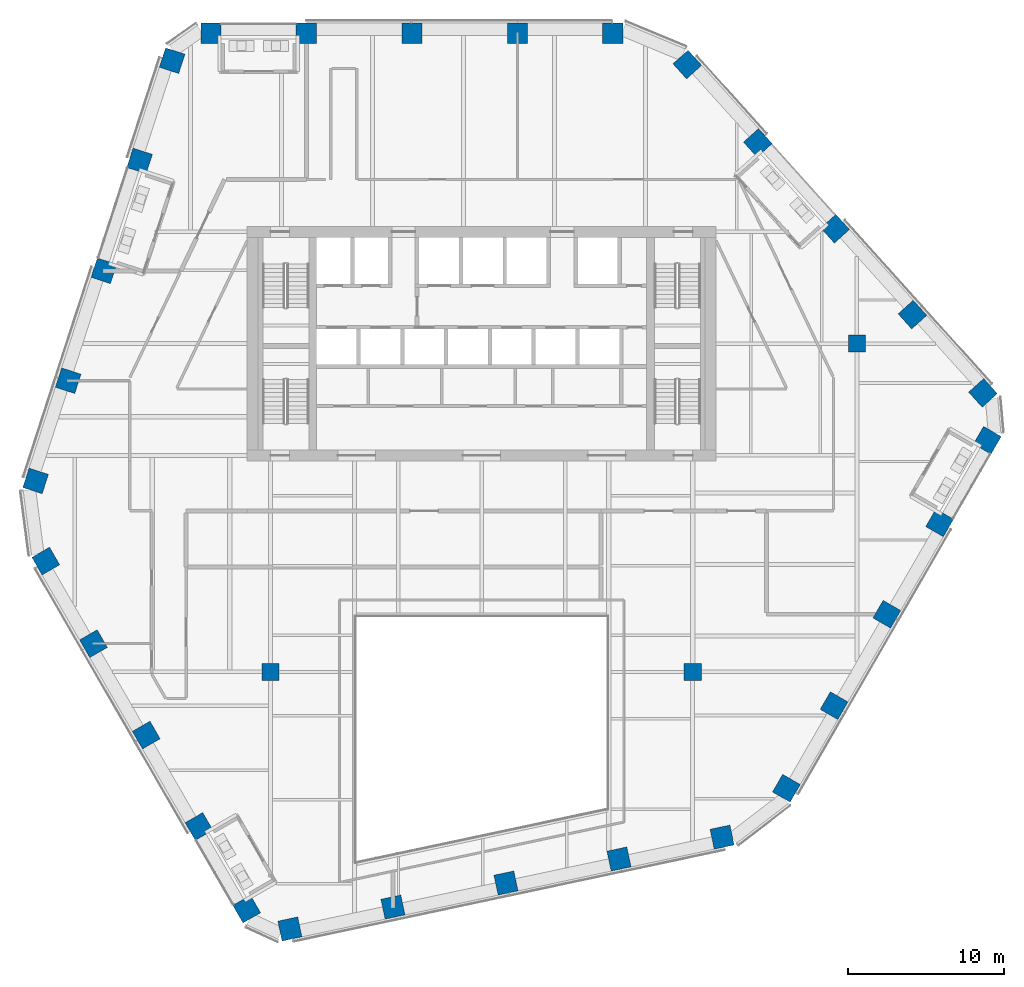
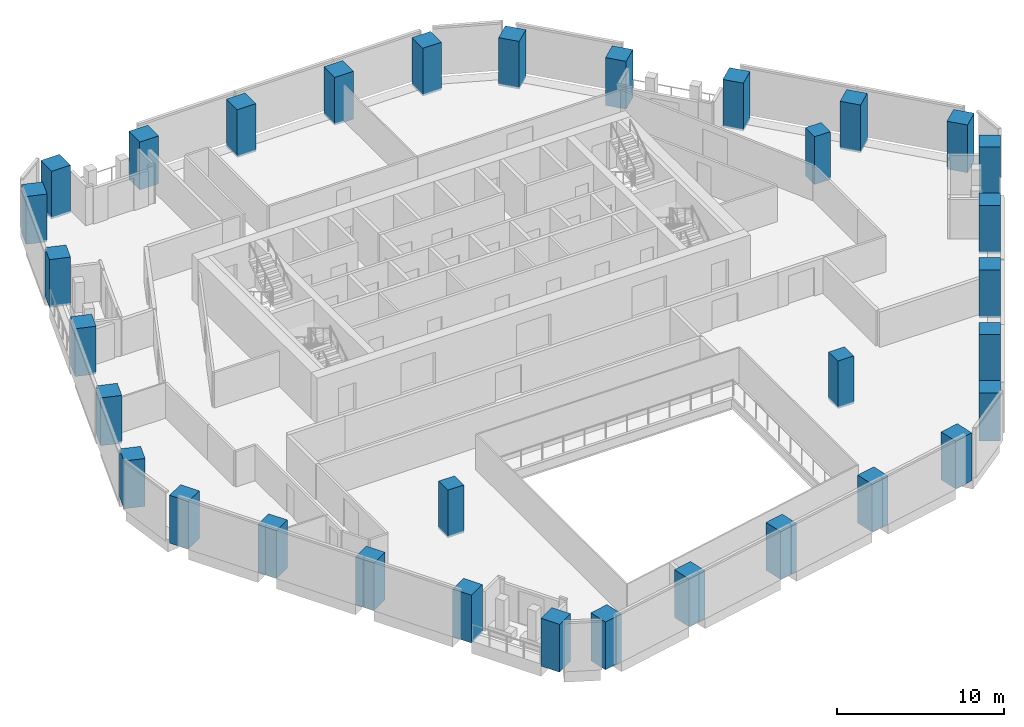
# One storey, part 1 of 26: 33 columns.
"""IFC4 building model written with IfcOpenShell, lengths in metres."""

from ifc_helpers import new_model, si_unit, direction, frame, origin, origin_2d, place, context, subcontext, project, spatial, rectangle, extrude, material, material_profile, profile_set, type_object, element, save


model = new_model("IFC4")

# Units and contexts
model_context = context("Model", 3, precision=1e-05, world=origin(), true_north=direction((0.0, 1.0)))
body_context = subcontext(model_context, "Body", "Model", "MODEL_VIEW")
ifc_project = project(units=[si_unit("LENGTHUNIT", "METRE"), si_unit("AREAUNIT", "SQUARE_METRE"), si_unit("VOLUMEUNIT", "CUBIC_METRE"), si_unit("PLANEANGLEUNIT", "RADIAN"), si_unit("MASSUNIT", "GRAM", prefix="KILO")], contexts=[model_context])

# Site, building, storey
site_placement = place(None, origin())
site = spatial("IfcSite", under=ifc_project, at=site_placement, CompositionType="ELEMENT")
building_placement = place(site_placement, origin())
building = spatial("IfcBuilding", under=site, at=building_placement, Name="Isthmus Gate Tower", CompositionType="ELEMENT")
storey_placement = place(building_placement, frame((0.0, 0.0, 203.64990234375)))
storey = spatial("IfcBuildingStorey", under=building, at=storey_placement, Name="L51", CompositionType="ELEMENT", Elevation=203.64990234375)

# Columns
ifc_material_1 = material(Name="Concrete f'c 60 MPa", Category="concrete")
ifc_material_profile_1 = material_profile(ifc_material_1, rectangle(XDim=1.10009765625, YDim=1.10009765625, at=origin_2d()), Name="RC 1100X1100")
ifc_profile_set_1 = profile_set([ifc_material_profile_1], Name="Concrete f'c 60 MPa")
column_type_1 = type_object("IfcColumnType", Name="RC INTERIOR COLUMN 1100 X 1100", PredefinedType="COLUMN", material=ifc_profile_set_1)
for number, where, z_axis, x_axis, name in (
    (1, (-13.5, -13.5, -0.14990234375), (0.0, 0.0, 1.0), (1.0, 0.0, 0.0), "str-icol-L51-ICB2"),
    (2, (13.5, -13.5, -0.14990234375), (0.0, 0.0, 1.0), (1.0, 0.0, 0.0), "str-icol-L51-ICD2"),
    (3, (24.0, 7.5, -0.14990234375), (0.0, 0.0, 1.0), (1.0, 0.0, 0.0), "str-icol-L51-ICE3"),
):
    element("IfcColumn", number, at=place(storey_placement, frame(where, z_axis=z_axis, x_axis=x_axis)), inside=storey, type_object=column_type_1, Name=name, PredefinedType="COLUMN", context=body_context, shape_type="SweptSolid", body=[
        extrude(rectangle(XDim=1.10009765625, YDim=1.10009765625, at=origin_2d()), origin(), (0.0, 0.0, 1.0), 3.5),
    ])
ifc_material_2 = material(Name="Concrete f'c 60 MPa", Category="concrete")
ifc_material_profile_2 = material_profile(ifc_material_2, rectangle(XDim=1.300048828125, YDim=1.300048828125, at=origin_2d()), Name="RC 1300X1300")
ifc_profile_set_2 = profile_set([ifc_material_profile_2], Name="Concrete f'c 60 MPa")
column_type_2 = type_object("IfcColumnType", Name="RC TUBE COLUMN 1300 X 1300", PredefinedType="COLUMN", material=ifc_profile_set_2)
for number, where, z_axis, x_axis, name in (
    (4, (8.388671875, 27.35009765625, -0.14990234375), (0.0, 0.0, 1.0), (-1.0, 0.0, 0.0), "str-tcol-L51-T2N0"),
    (5, (2.288330078125, 27.35009765625, -0.14990234375), (0.0, 0.0, 1.0), (-1.0, 0.0, 0.0), "str-tcol-L51-T2N1"),
    (6, (-4.461669921875, 27.35009765625, -0.14990234375), (0.0, 0.0, 1.0), (-1.0, 0.0, 0.0), "str-tcol-L51-T2N2"),
    (7, (-11.2119140625, 27.35009765625, -0.14990234375), (0.0, 0.0, 1.0), (-1.0, 0.0, 0.0), "str-tcol-L51-T2N3"),
    (8, (-17.31201171875, 27.35009765625, -0.14990234375), (0.0, 0.0, 1.0), (-1.0, 0.0, 0.0), "str-tcol-L51-T2N4"),
    (9, (-19.797607421875, 25.595947265625, -0.14990234375), (0.0, 0.0, 1.0), (-0.309016994375, -0.951056516295, 0.0), "str-tcol-L51-T2NW0"),
    (10, (-21.880615234375, 19.18505859375, -0.14990234375), (0.0, 0.0, 1.0), (-0.309016994375, -0.951056516295, 0.0), "str-tcol-L51-T2NW1"),
    (11, (-24.164306640625, 12.156005859375, -0.14990234375), (0.0, 0.0, 1.0), (-0.309016994375, -0.951056516295, 0.0), "str-tcol-L51-T2NW2"),
    (12, (-26.4482421875, 5.126953125, -0.14990234375), (0.0, 0.0, 1.0), (-0.309016994375, -0.951056516295, 0.0), "str-tcol-L51-T2NW3"),
    (13, (-28.53125, -1.283935546875, -0.14990234375), (0.0, 0.0, 1.0), (-0.309016994375, -0.951056516295, 0.0), "str-tcol-L51-T2NW4"),
    (14, (-27.880126953125, -6.410400390625, -0.14990234375), (0.0, 0.0, 1.0), (0.5, -0.866025403784, 0.0), "str-tcol-L51-T2SW0"),
    (15, (-24.830078125, -11.693115234375, -0.14990234375), (0.0, 0.0, 1.0), (0.5, -0.866025403784, 0.0), "str-tcol-L51-T2SW1"),
    (16, (-21.454833984375, -17.5390625, -0.14990234375), (0.0, 0.0, 1.0), (0.5, -0.866025403784, 0.0), "str-tcol-L51-T2SW2"),
    (17, (-18.079833984375, -23.384765625, -0.14990234375), (0.0, 0.0, 1.0), (0.5, -0.866025403784, 0.0), "str-tcol-L51-T2SW3"),
    (18, (-15.02978515625, -28.667724609375, -0.14990234375), (0.0, 0.0, 1.0), (0.5, -0.866025403784, 0.0), "str-tcol-L51-T2SW4"),
    (19, (-12.267822265625, -29.943115234375, -0.14990234375), (0.0, 0.0, 1.0), (0.978147600734, 0.207911690818, 0.0), "str-tcol-L51-T2S0"),
    (20, (-5.674560546875, -28.54150390625, -0.14990234375), (0.0, 0.0, 1.0), (0.978147600734, 0.207911690818, 0.0), "str-tcol-L51-T2S1"),
    (21, (1.554931640625, -27.0048828125, -0.14990234375), (0.0, 0.0, 1.0), (0.978147600734, 0.207911690818, 0.0), "str-tcol-L51-T2S2"),
    (22, (8.7841796875, -25.46826171875, -0.14990234375), (0.0, 0.0, 1.0), (0.978147600734, 0.207911690818, 0.0), "str-tcol-L51-T2S3"),
    (23, (15.377685546875, -24.06689453125, -0.14990234375), (0.0, 0.0, 1.0), (0.978147600734, 0.207911690818, 0.0), "str-tcol-L51-T2S4"),
    (24, (19.491455078125, -20.939697265625, -0.14990234375), (0.0, 0.0, 1.0), (0.5, 0.866025403784, 0.0), "str-tcol-L51-T2SE0"),
    (25, (22.54150390625, -15.65673828125, -0.14990234375), (0.0, 0.0, 1.0), (0.5, 0.866025403784, 0.0), "str-tcol-L51-T2SE1"),
    (26, (25.916748046875, -9.81103515625, -0.14990234375), (0.0, 0.0, 1.0), (0.5, 0.866025403784, 0.0), "str-tcol-L51-T2SE2"),
    (27, (29.291748046875, -3.96533203125, -0.14990234375), (0.0, 0.0, 1.0), (0.5, 0.866025403784, 0.0), "str-tcol-L51-T2SE3"),
    (28, (32.341796875, 1.317626953125, -0.14990234375), (0.0, 0.0, 1.0), (0.5, 0.866025403784, 0.0), "str-tcol-L51-T2SE4"),
    (29, (32.0654296875, 4.34716796875, -0.14990234375), (0.0, 0.0, 1.0), (-0.669130606359, 0.743144825477, 0.0), "str-tcol-L51-T2NE0"),
    (30, (27.554931640625, 9.356689453125, -0.14990234375), (0.0, 0.0, 1.0), (-0.669130606359, 0.743144825477, 0.0), "str-tcol-L51-T2NE1"),
    (31, (22.609619140625, 14.84912109375, -0.14990234375), (0.0, 0.0, 1.0), (-0.669130606359, 0.743144825477, 0.0), "str-tcol-L51-T2NE2"),
    (32, (17.6640625, 20.341552734375, -0.14990234375), (0.0, 0.0, 1.0), (-0.669130606359, 0.743144825477, 0.0), "str-tcol-L51-T2NE3"),
    (33, (13.15380859375, 25.350830078125, -0.14990234375), (0.0, 0.0, 1.0), (-0.669130606359, 0.743144825477, 0.0), "str-tcol-L51-T2NE4"),
):
    element("IfcColumn", number, at=place(storey_placement, frame(where, z_axis=z_axis, x_axis=x_axis)), inside=storey, type_object=column_type_2, Name=name, PredefinedType="COLUMN", context=body_context, shape_type="SweptSolid", body=[
        extrude(rectangle(XDim=1.300048828125, YDim=1.300048828125, at=origin_2d()), origin(), (0.0, 0.0, 1.0), 3.5),
    ])

save(model, "model.ifc")
